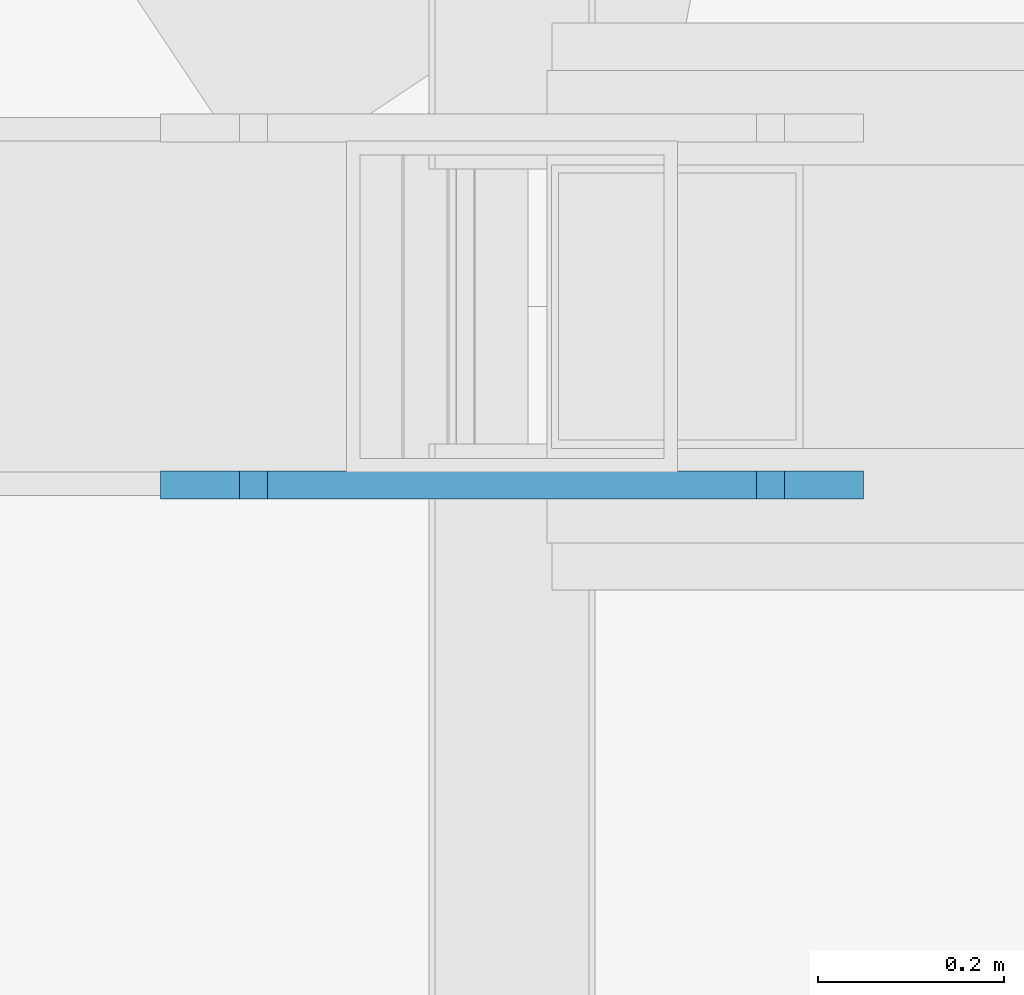
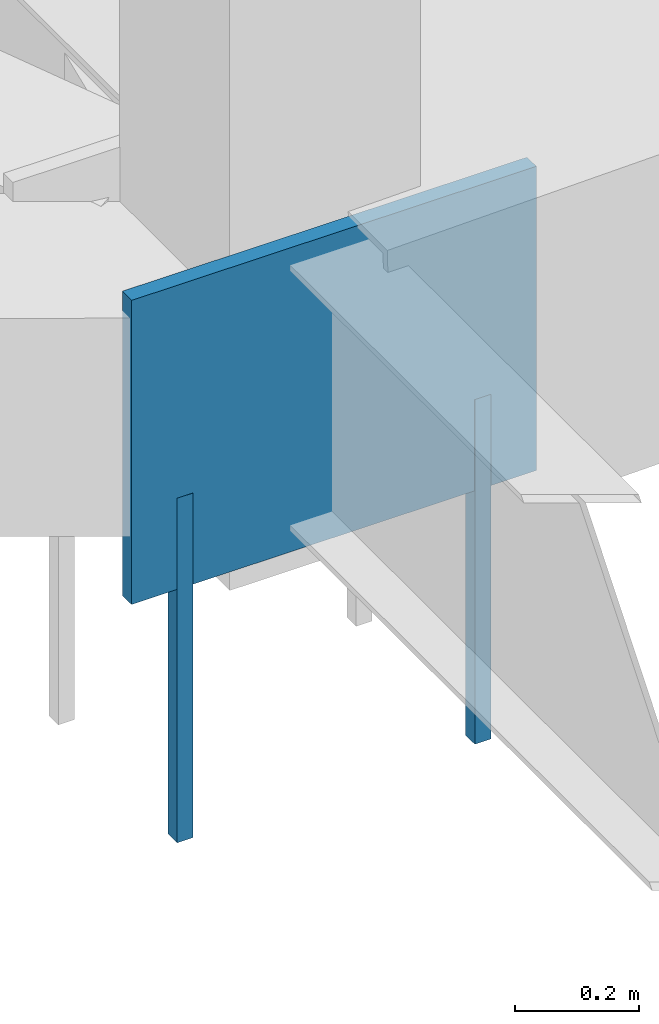
# One storey, part 158 of 278: 2 mechanical fasteners, 1 discrete accessory.
"""IFC4 building model written with IfcOpenShell, lengths in metres."""

import ifcopenshell
import ifcopenshell.guid

model = None  # the IFC model being written
_history = None  # IfcOwnerHistory: only IFC2X3 demands one
_inside = {}  # id of a spatial element -> (the spatial element, [elements in it])
_under = {}  # id of a project, library or spatial element -> (it, [spatial elements below it])
_declared = {}  # id of a project -> (the project, [libraries it declares])
_typed = {}  # id of a type object -> (the type object, [elements of that type])
_made_of = {}  # id of a material, layer set ... -> (it, [elements and type objects made of it])


def new_model(schema):
    """Start an empty IFC model of exactly this schema.

    Asked for "IFC4X3", IfcOpenShell would pick the latest addendum, in which some entities
    have other attributes; the version numbers below select the first issue.
    IFC2X3 requires an IfcOwnerHistory on every rooted entity: one is made here for all.
    """
    global model, _history
    if schema == "IFC4X3":
        model = ifcopenshell.file(schema_version=(4, 3, 0, 0))
    else:
        model = ifcopenshell.file(schema=schema)
    _inside.clear()
    _under.clear()
    _declared.clear()
    _typed.clear()
    _made_of.clear()
    _history = None
    if model.schema == "IFC2X3":
        org = make("IfcOrganization", Name="unknown")
        user = make(
            "IfcPersonAndOrganization",
            ThePerson=make("IfcPerson", FamilyName="unknown"),
            TheOrganization=org,
        )
        app = make(
            "IfcApplication",
            ApplicationDeveloper=org,
            Version="unknown",
            ApplicationFullName="unknown",
            ApplicationIdentifier="unknown",
        )
        _history = make(
            "IfcOwnerHistory",
            OwningUser=user,
            OwningApplication=app,
            ChangeAction="ADDED",
            CreationDate=0,
        )
    return model


def make(cls, **values):
    """One entity of the class cls with the attributes given. An attribute that is None is left unset."""
    return model.create_entity(
        cls, **{name: value for name, value in values.items() if value is not None}
    )


def rooted(cls, **values):
    """An entity with a GlobalId (a new one), such as an element, a storey or a relation."""
    return make(cls, GlobalId=ifcopenshell.guid.new(), OwnerHistory=_history, **values)


def si_unit(unit_type, name, prefix=None):
    """IfcSIUnit, for example si_unit("LENGTHUNIT", "METRE", prefix="MILLI")."""
    return make("IfcSIUnit", UnitType=unit_type, Prefix=prefix, Name=name)


def assignment(units):
    """IfcUnitAssignment: the units of a project."""
    return None if units is None else make("IfcUnitAssignment", Units=units)


def point(xyz):
    """IfcCartesianPoint."""
    return None if xyz is None else make("IfcCartesianPoint", Coordinates=xyz)


def direction(xyz):
    """IfcDirection."""
    return None if xyz is None else make("IfcDirection", DirectionRatios=xyz)


def frame(location, z_axis=None, x_axis=None):
    """IfcAxis2Placement3D, a coordinate frame: its origin and axes. An axis left out is left unset."""
    return make(
        "IfcAxis2Placement3D",
        Location=point(location),
        Axis=direction(z_axis),
        RefDirection=direction(x_axis),
    )


def frame_2d(location, x_axis=None):
    """IfcAxis2Placement2D, a coordinate frame in the plane: its origin and x axis."""
    return make(
        "IfcAxis2Placement2D", Location=point(location), RefDirection=direction(x_axis)
    )


def origin():
    """The frame at (0, 0, 0) with its axes left unset."""
    return frame((0.0, 0.0, 0.0))


def origin_2d():
    """The frame at (0, 0) in the plane with its x axis left unset."""
    return frame_2d((0.0, 0.0))


def place(relative_to, where):
    """IfcLocalPlacement: puts the frame where relative to a parent placement (None: the world)."""
    return make(
        "IfcLocalPlacement", PlacementRelTo=relative_to, RelativePlacement=where
    )


def context(
    kind, dimensions, precision=None, world=None, true_north=None, identifier=None
):
    """IfcGeometricRepresentationContext, for example the 3D "Model" context."""
    return make(
        "IfcGeometricRepresentationContext",
        ContextIdentifier=identifier,
        ContextType=kind,
        CoordinateSpaceDimension=dimensions,
        Precision=precision,
        WorldCoordinateSystem=world,
        TrueNorth=true_north,
    )


def subcontext(parent, identifier, kind, view, scale=None):
    """IfcGeometricRepresentationSubContext, for example "Body" below "Model"."""
    return make(
        "IfcGeometricRepresentationSubContext",
        ContextIdentifier=identifier,
        ContextType=kind,
        ParentContext=parent,
        TargetScale=scale,
        TargetView=view,
    )


def project(units=None, contexts=None):
    """IfcProject with its units and contexts."""
    return rooted(
        "IfcProject",
        Name="project",
        RepresentationContexts=contexts,
        UnitsInContext=assignment(units),
    )


def spatial(cls, under=None, at=None, **own):
    """A site, building, storey or space (cls), placed at a placement, below another one or the project."""
    s = rooted(cls, ObjectPlacement=at, **own)
    if under is not None:
        _under.setdefault(under.id(), (under, []))[1].append(s)
    return s


def profile(cls, at=None, kind="AREA", **sizes):
    """A parametric profile (cls). Its sizes go by their IFC names, for example OverallWidth=200.0."""
    return make(cls, ProfileType=kind, Position=at, **sizes)


def rectangle(**sizes):
    """IfcRectangleProfileDef."""
    return profile("IfcRectangleProfileDef", **sizes)


def extrude(swept, where, along, depth):
    """IfcExtrudedAreaSolid: the profile swept, set in the frame where, extruded along a direction by depth."""
    return make(
        "IfcExtrudedAreaSolid",
        SweptArea=swept,
        Position=where,
        ExtrudedDirection=direction(along),
        Depth=depth,
    )


def shape(context_of_items, identifier, shape_type, items):
    """IfcShapeRepresentation: the items that make up one representation, for example the "Body"."""
    return make(
        "IfcShapeRepresentation",
        ContextOfItems=context_of_items,
        RepresentationIdentifier=identifier,
        RepresentationType=shape_type,
        Items=items,
    )


def material(Name=None, Category=None):
    """IfcMaterial."""
    return make("IfcMaterial", Name=Name, Category=Category)


def layer(
    of_material, thickness, ventilated=None, Name=None, Category=None, Priority=None
):
    """IfcMaterialLayer: one layer of a wall or slab, of a material (None: an air gap)."""
    return make(
        "IfcMaterialLayer",
        Material=of_material,
        LayerThickness=thickness,
        IsVentilated=ventilated,
        Name=Name,
        Category=Category,
        Priority=Priority,
    )


def layer_set(layers, Name=None):
    """IfcMaterialLayerSet."""
    return make("IfcMaterialLayerSet", MaterialLayers=layers, LayerSetName=Name)


def made_of(thing, what):
    """Note that an element or type object is made of a material, layer set ...; save() writes the relation."""
    if what is not None:
        _made_of.setdefault(what.id(), (what, []))[1].append(thing)
    return thing


def type_object(cls, material=None, **own):
    """A type object (cls), such as IfcWallType, which elements share."""
    return made_of(rooted(cls, **own), material)


def element(
    cls,
    number,
    at=None,
    inside=None,
    cuts=None,
    type_object=None,
    material=None,
    context=None,
    identifier="Body",
    shape_type=None,
    held_by="IfcProductDefinitionShape",
    body=None,
    shapes=None,
    **own,
):
    """One element of the class cls, such as IfcWall. Its Tag is "e" and its number.

    at: its placement. inside: the storey or other place that contains it. cuts: it is an
    opening in that element (IfcRelVoidsElement). A single representation is given by context,
    identifier, shape_type and body (its items); several are given by shapes. held_by: the class
    of the entity that holds the representations. save() writes the other relations.
    """
    e = rooted(cls, Tag="e%d" % number, ObjectPlacement=at, **own)
    if body is not None:
        shapes = [shape(context, identifier, shape_type, body)]
    if shapes is not None:
        e.Representation = make(held_by, Representations=shapes)
    if inside is not None:
        _inside.setdefault(inside.id(), (inside, []))[1].append(e)
    if cuts is not None:
        rooted(
            "IfcRelVoidsElement", RelatingBuildingElement=cuts, RelatedOpeningElement=e
        )
    if type_object is not None:
        _typed.setdefault(type_object.id(), (type_object, []))[1].append(e)
    return made_of(e, material)


def aggregate(whole, parts):
    """IfcRelAggregates: a whole, such as a stair, and the parts it consists of."""
    return rooted("IfcRelAggregates", RelatingObject=whole, RelatedObjects=parts)


def save(model, path):
    """Write the relations noted so far, then the file.

    IfcRelAggregates (storeys below a building ...), IfcRelContainedInSpatialStructure (elements
    in a storey), IfcRelDefinesByType, IfcRelAssociatesMaterial and IfcRelDeclares: one each for
    every whole, place, type object, material and project.
    """
    for whole, parts in _under.values():
        aggregate(whole, parts)
    for where, things in _inside.values():
        rooted(
            "IfcRelContainedInSpatialStructure",
            RelatedElements=things,
            RelatingStructure=where,
        )
    for kind, things in _typed.values():
        rooted("IfcRelDefinesByType", RelatedObjects=things, RelatingType=kind)
    for what, things in _made_of.values():
        rooted("IfcRelAssociatesMaterial", RelatedObjects=things, RelatingMaterial=what)
    for by, libraries in _declared.values():
        rooted("IfcRelDeclares", RelatingContext=by, RelatedDefinitions=libraries)
    model.write(path)


model = new_model("IFC4")

# Units and contexts
model_context = context("Model", 3, precision=1e-05, world=origin(), true_north=direction((0.0, 1.0)))
body_context = subcontext(model_context, "Body", "Model", "MODEL_VIEW")
ifc_project = project(units=[si_unit("LENGTHUNIT", "METRE"), si_unit("AREAUNIT", "SQUARE_METRE"), si_unit("VOLUMEUNIT", "CUBIC_METRE"), si_unit("PLANEANGLEUNIT", "RADIAN"), si_unit("MASSUNIT", "GRAM", prefix="KILO")], contexts=[model_context])

# Site, building, storey
site_placement = place(None, origin())
site = spatial("IfcSite", under=ifc_project, at=site_placement, CompositionType="ELEMENT")
building_placement = place(site_placement, origin())
building = spatial("IfcBuilding", under=site, at=building_placement, Name="Ogive Plaza Stadium", CompositionType="ELEMENT")
storey_placement = place(building_placement, frame((0.0, 0.0, 29.0)))
storey = spatial("IfcBuildingStorey", under=building, at=storey_placement, Name="Roof", CompositionType="ELEMENT", Elevation=29.0)

# Mechanical fasteners
ifc_material_1 = material(Name="Steel ASTM A992 Grade 50", Category="steel")
mechanical_fastener_type = type_object("IfcMechanicalFastenerType", Name="Anchor bolt M30 x 600", PredefinedType="ANCHORBOLT", material=ifc_material_1)
for number, where, z_axis, x_axis, name in (
    (1, (-74.27783203125, -7.69189453125, -0.5), (0.0, 0.0, 1.0), (-1.0, 0.0, 0.0), "ANCHOR BOLT 24 BP 1.1"),
    (2, (-73.72216796875, -7.69189453125, -0.5), (0.0, 0.0, 1.0), (-1.0, 0.0, 0.0), "ANCHOR BOLT 24 BP 1.2"),
):
    element("IfcMechanicalFastener", number, at=place(storey_placement, frame(where, z_axis=z_axis, x_axis=x_axis)), inside=storey, type_object=mechanical_fastener_type, Name=name, PredefinedType="ANCHORBOLT", context=body_context, shape_type="SweptSolid", body=[
        extrude(rectangle(XDim=0.030029296875, YDim=0.030029296875, at=origin_2d()), origin(), (0.0, 0.0, 1.0), 0.679931640625),
    ])

# Discrete accessory
ifc_material_2 = material(Name="Steel ASTM A992 Grade 50", Category="steel")
ifc_layer = layer(ifc_material_2, 0.030029296875)
ifc_layer_set = layer_set([ifc_layer], Name="Steel ASTM A992 Grade 50")
discrete_accessory_type = type_object("IfcDiscreteAccessoryType", Name="Truss root foot cleat plate 30", PredefinedType="ANCHORPLATE", material=ifc_layer_set)
discrete_accessory_placement = place(storey_placement, frame((-74.0, -7.69189453125, 0.0), z_axis=(0.0, 0.0, 1.0), x_axis=(-1.0, 0.0, 0.0)))
element("IfcDiscreteAccessory", 3, at=discrete_accessory_placement, inside=storey, type_object=discrete_accessory_type, Name="TRUSS ROOT FOOT CLEAT PLATE 24 1", PredefinedType="ANCHORPLATE", context=body_context, shape_type="SweptSolid", body=[
    extrude(rectangle(XDim=0.755615234375, YDim=0.030029296875, at=origin_2d()), origin(), (0.0, 0.0, 1.0), 0.60009765625),
])

save(model, "model.ifc")
